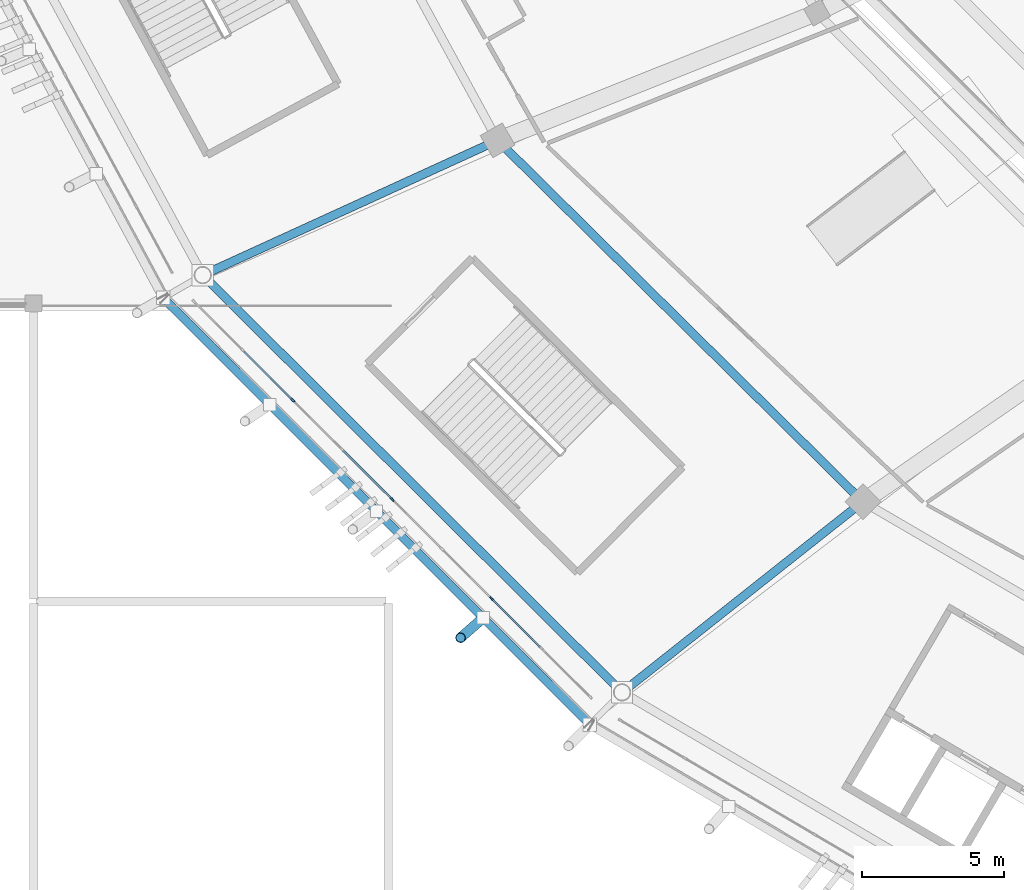
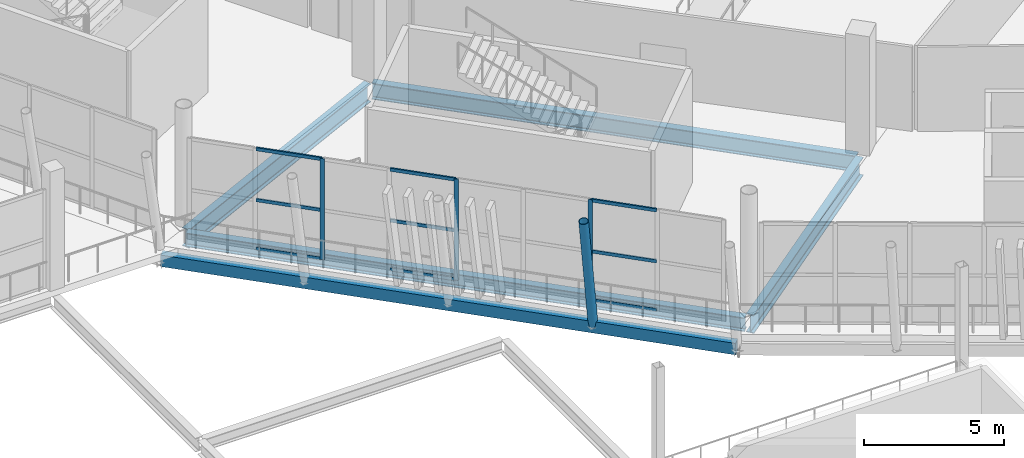
# One storey, part 30 of 178: 13 members, 5 beams, 1 element without a shape of its own.
"""IFC4 building model written with IfcOpenShell, lengths in metres."""

from ifc_helpers import new_model, si_unit, direction, frame, origin, origin_2d, place, context, subcontext, project, spatial, rectangle, hollow_rectangle, hollow_circle, i_section, extrude, material, material_profile, profile_set, type_object, element, aggregate, save


model = new_model("IFC4")

# Units and contexts
model_context = context("Model", 3, precision=1e-05, world=origin(), true_north=direction((0.0, 1.0)))
body_context = subcontext(model_context, "Body", "Model", "MODEL_VIEW")
ifc_project = project(units=[si_unit("LENGTHUNIT", "METRE"), si_unit("AREAUNIT", "SQUARE_METRE"), si_unit("VOLUMEUNIT", "CUBIC_METRE"), si_unit("PLANEANGLEUNIT", "RADIAN"), si_unit("MASSUNIT", "GRAM", prefix="KILO")], contexts=[model_context])

# Site, building, storey
site_placement = place(None, origin())
site = spatial("IfcSite", under=ifc_project, at=site_placement, CompositionType="ELEMENT")
building_placement = place(site_placement, origin())
building = spatial("IfcBuilding", under=site, at=building_placement, Name="Zlatoyarsky Gate Stadium", CompositionType="ELEMENT")
storey_placement = place(building_placement, frame((0.0, 0.0, 5.39990234375)))
storey = spatial("IfcBuildingStorey", under=building, at=storey_placement, Name="L01", CompositionType="ELEMENT", Elevation=5.39990234375)

# Curtain wall, members
ifc_material_1 = material(Name="Thermally broken anodised aluminium curtain wall", Category="aluminium")
curtain_wall_type = type_object("IfcCurtainWallType", Name="UNITISED HOSPITALITY GLAZING L01", PredefinedType="USERDEFINED", material=ifc_material_1)
curtain_wall_placement = place(storey_placement, origin())
curtain_wall = element("IfcCurtainWall", 1, at=curtain_wall_placement, inside=storey, type_object=curtain_wall_type, Name="Curtain wall CW-L01-14", ObjectType="UNITISED GLAZING", PredefinedType="USERDEFINED")
ifc_material_2 = material(Name="Anodised aluminium 6063-T6", Category="aluminium")
ifc_material_profile_1 = material_profile(ifc_material_2, rectangle(XDim=0.06494140625, YDim=0.159912109375, at=origin_2d()), Name="ALU 65X160")
ifc_profile_set_1 = profile_set([ifc_material_profile_1], Name="Anodised aluminium 6063-T6")
member_type_1 = type_object("IfcMemberType", Name="ALUMINIUM MULLION 65X160", PredefinedType="MULLION", material=ifc_profile_set_1)
member_1_placement = place(storey_placement, frame((33.6337890625, 40.093017578125, 0.0), z_axis=(0.0, 0.0, 1.0), x_axis=(0.706373470498, 0.707839332176, 0.0)))
member_1 = element("IfcMember", 2, at=member_1_placement, type_object=member_type_1, Name="CW-UG1 mullion 3", PredefinedType="MULLION", context=body_context, shape_type="SweptSolid", body=[
    extrude(rectangle(XDim=0.06494140625, YDim=0.159912109375, at=origin_2d()), origin(), (0.0, 0.0, 1.0), 4.400146484375),
])
member_2_placement = place(storey_placement, frame((37.134765625, 36.599365234375, 0.0), z_axis=(0.0, 0.0, 1.0), x_axis=(0.706373470498, 0.707839332176, 0.0)))
member_2 = element("IfcMember", 3, at=member_2_placement, type_object=member_type_1, Name="CW-UG1 mullion 5", PredefinedType="MULLION", context=body_context, shape_type="SweptSolid", body=[
    extrude(rectangle(XDim=0.06494140625, YDim=0.159912109375, at=origin_2d()), origin(), (0.0, 0.0, 1.0), 4.400146484375),
])
member_3_placement = place(storey_placement, frame((40.6357421875, 33.105712890625, 0.0), z_axis=(0.0, 0.0, 1.0), x_axis=(0.706373470498, 0.707839332176, 0.0)))
member_3 = element("IfcMember", 4, at=member_3_placement, type_object=member_type_1, Name="CW-UG1 mullion 7", PredefinedType="MULLION", context=body_context, shape_type="SweptSolid", body=[
    extrude(rectangle(XDim=0.06494140625, YDim=0.159912109375, at=origin_2d()), origin(), (0.0, 0.0, 1.0), 4.400146484375),
])
ifc_material_profile_2 = material_profile(ifc_material_2, rectangle(XDim=0.06494140625, YDim=0.139892578125, at=origin_2d()), Name="ALU 65X140")
ifc_profile_set_2 = profile_set([ifc_material_profile_2], Name="Anodised aluminium 6063-T6")
member_type_2 = type_object("IfcMemberType", Name="ALUMINIUM TRANSOM 65X140", PredefinedType="USERDEFINED", material=ifc_profile_set_2)
member_4_placement = place(storey_placement, frame((31.906494140625, 41.81689453125, 0.03271484375), z_axis=(0.707816167604, -0.70639668238, 0.0), x_axis=(0.70639668238, 0.707816167604, 0.0)))
member_4 = element("IfcMember", 5, at=member_4_placement, type_object=member_type_2, Name="CW-UG1 transom 2.1", ObjectType="TRANSOM", PredefinedType="USERDEFINED", context=body_context, shape_type="SweptSolid", body=[
    extrude(rectangle(XDim=0.06494140625, YDim=0.139892578125, at=origin_2d()), origin(), (0.0, 0.0, 1.0), 2.407958984375),
])
member_5_placement = place(storey_placement, frame((31.906494140625, 41.81689453125, 2.150146484375), z_axis=(0.707816167604, -0.70639668238, 0.0), x_axis=(0.70639668238, 0.707816167604, 0.0)))
member_5 = element("IfcMember", 6, at=member_5_placement, type_object=member_type_2, Name="CW-UG1 transom 2.2", ObjectType="TRANSOM", PredefinedType="USERDEFINED", context=body_context, shape_type="SweptSolid", body=[
    extrude(rectangle(XDim=0.06494140625, YDim=0.139892578125, at=origin_2d()), origin(), (0.0, 0.0, 1.0), 2.407958984375),
])
member_6_placement = place(storey_placement, frame((31.906494140625, 41.81689453125, 4.36767578125), z_axis=(0.707816167604, -0.70639668238, 0.0), x_axis=(0.70639668238, 0.707816167604, 0.0)))
member_6 = element("IfcMember", 7, at=member_6_placement, type_object=member_type_2, Name="CW-UG1 transom 2.3", ObjectType="TRANSOM", PredefinedType="USERDEFINED", context=body_context, shape_type="SweptSolid", body=[
    extrude(rectangle(XDim=0.06494140625, YDim=0.139892578125, at=origin_2d()), origin(), (0.0, 0.0, 1.0), 2.407958984375),
])
member_7_placement = place(storey_placement, frame((35.407470703125, 38.3232421875, 0.03271484375), z_axis=(0.707816167604, -0.70639668238, 0.0), x_axis=(0.70639668238, 0.707816167604, 0.0)))
member_7 = element("IfcMember", 8, at=member_7_placement, type_object=member_type_2, Name="CW-UG1 transom 4.1", ObjectType="TRANSOM", PredefinedType="USERDEFINED", context=body_context, shape_type="SweptSolid", body=[
    extrude(rectangle(XDim=0.06494140625, YDim=0.139892578125, at=origin_2d()), origin(), (0.0, 0.0, 1.0), 2.407958984375),
])
member_8_placement = place(storey_placement, frame((35.407470703125, 38.3232421875, 2.150146484375), z_axis=(0.707816167604, -0.70639668238, 0.0), x_axis=(0.70639668238, 0.707816167604, 0.0)))
member_8 = element("IfcMember", 9, at=member_8_placement, type_object=member_type_2, Name="CW-UG1 transom 4.2", ObjectType="TRANSOM", PredefinedType="USERDEFINED", context=body_context, shape_type="SweptSolid", body=[
    extrude(rectangle(XDim=0.06494140625, YDim=0.139892578125, at=origin_2d()), origin(), (0.0, 0.0, 1.0), 2.407958984375),
])
member_9_placement = place(storey_placement, frame((35.407470703125, 38.3232421875, 4.36767578125), z_axis=(0.707816167604, -0.70639668238, 0.0), x_axis=(0.70639668238, 0.707816167604, 0.0)))
member_9 = element("IfcMember", 10, at=member_9_placement, type_object=member_type_2, Name="CW-UG1 transom 4.3", ObjectType="TRANSOM", PredefinedType="USERDEFINED", context=body_context, shape_type="SweptSolid", body=[
    extrude(rectangle(XDim=0.06494140625, YDim=0.139892578125, at=origin_2d()), origin(), (0.0, 0.0, 1.0), 2.407958984375),
])
member_10_placement = place(storey_placement, frame((40.65869140625, 33.082763671875, 0.03271484375), z_axis=(0.707816167604, -0.70639668238, 0.0), x_axis=(0.70639668238, 0.707816167604, 0.0)))
member_10 = element("IfcMember", 11, at=member_10_placement, type_object=member_type_2, Name="CW-UG1 transom 7.1", ObjectType="TRANSOM", PredefinedType="USERDEFINED", context=body_context, shape_type="SweptSolid", body=[
    extrude(rectangle(XDim=0.06494140625, YDim=0.139892578125, at=origin_2d()), origin(), (0.0, 0.0, 1.0), 2.407958984375),
])
member_11_placement = place(storey_placement, frame((40.65869140625, 33.082763671875, 2.150146484375), z_axis=(0.707816167604, -0.70639668238, 0.0), x_axis=(0.70639668238, 0.707816167604, 0.0)))
member_11 = element("IfcMember", 12, at=member_11_placement, type_object=member_type_2, Name="CW-UG1 transom 7.2", ObjectType="TRANSOM", PredefinedType="USERDEFINED", context=body_context, shape_type="SweptSolid", body=[
    extrude(rectangle(XDim=0.06494140625, YDim=0.139892578125, at=origin_2d()), origin(), (0.0, 0.0, 1.0), 2.407958984375),
])
member_12_placement = place(storey_placement, frame((40.65869140625, 33.082763671875, 4.36767578125), z_axis=(0.707816167604, -0.70639668238, 0.0), x_axis=(0.70639668238, 0.707816167604, 0.0)))
member_12 = element("IfcMember", 13, at=member_12_placement, type_object=member_type_2, Name="CW-UG1 transom 7.3", ObjectType="TRANSOM", PredefinedType="USERDEFINED", context=body_context, shape_type="SweptSolid", body=[
    extrude(rectangle(XDim=0.06494140625, YDim=0.139892578125, at=origin_2d()), origin(), (0.0, 0.0, 1.0), 2.407958984375),
])
aggregate(curtain_wall, [member_1, member_2, member_3, member_4, member_5, member_6, member_7, member_8, member_9, member_10, member_11, member_12])

# Member
ifc_material_3 = material(Name="Steel S355", Category="steel")
ifc_material_profile_3 = material_profile(ifc_material_3, hollow_circle(Radius=0.177734375, WallThickness=0.02001953125, at=origin_2d()), Name="CHS 355.6X20")
ifc_profile_set_3 = profile_set([ifc_material_profile_3], Name="Steel S355")
member_type_3 = type_object("IfcMemberType", Name="STEEL LEANING RIB RING STRUT CHS 355.6X20", PredefinedType="STRUT", material=ifc_profile_set_3)
member_13_placement = place(storey_placement, frame((40.343017578125, 32.41748046875, -0.5498046875), z_axis=(-0.149693382976, -0.131314005581, 0.979973735889), x_axis=(0.659449228853, -0.751749103468, 0.0)))
element("IfcMember", 14, at=member_13_placement, inside=storey, type_object=member_type_3, Name="Outward-leaning bowl louvre fin rib L01 14-3", PredefinedType="STRUT", context=body_context, shape_type="SweptSolid", body=[
    extrude(hollow_circle(Radius=0.177734375, WallThickness=0.02001953125, at=origin_2d()), origin(), (0.0, 0.0, 1.0), 5.32666015625),
])

# Beams
ifc_material_profile_4 = material_profile(ifc_material_3, hollow_rectangle(XDim=0.300048828125, YDim=0.5, WallThickness=0.02001953125, at=origin_2d()), Name="RHS 500X300X20")
ifc_profile_set_4 = profile_set([ifc_material_profile_4], Name="Steel S355")
beam_type_1 = type_object("IfcBeamType", Name="STEEL LOUVRE CARRIER SPANDREL RHS 500X300X20", PredefinedType="SPANDREL", material=ifc_profile_set_4)
beam_1_placement = place(storey_placement, frame((29.080810546875, 43.681640625, -0.5498046875), z_axis=(0.707043513905, -0.707170042808, 0.0), x_axis=(0.707170042808, 0.707043513905, 0.0)))
element("IfcBeam", 15, at=beam_1_placement, inside=storey, type_object=beam_type_1, Name="Beam SP-RHS500 BM-L01-SPD-14", PredefinedType="SPANDREL", context=body_context, shape_type="SweptSolid", body=[
    extrude(hollow_rectangle(XDim=0.300048828125, YDim=0.5, WallThickness=0.02001953125, at=origin_2d()), origin(), (0.0, 0.0, 1.0), 21.224853515625),
])
ifc_material_profile_5 = material_profile(ifc_material_3, i_section(OverallWidth=0.300048828125, OverallDepth=0.60009765625, WebThickness=0.015380859375, FlangeThickness=0.030029296875, FilletRadius=0.027099609375, at=origin_2d()), Name="HEB 600")
ifc_profile_set_5 = profile_set([ifc_material_profile_5], Name="Steel S355")
beam_type_2 = type_object("IfcBeamType", Name="STEEL PRIMARY GIRDER HEB 600", PredefinedType="BEAM", material=ifc_profile_set_5)
beam_2_placement = place(storey_placement, frame((30.544677734375, 44.415283203125, -0.599853515625), z_axis=(0.708899260134, -0.705309746835, 0.0), x_axis=(0.705309746835, 0.708899260134, 0.0)))
element("IfcBeam", 16, at=beam_2_placement, inside=storey, type_object=beam_type_2, Name="Beam G-HEB600 BM-L01-CRC-14", PredefinedType="BEAM", context=body_context, shape_type="SweptSolid", body=[
    extrude(i_section(OverallWidth=0.300048828125, OverallDepth=0.60009765625, WebThickness=0.015380859375, FlangeThickness=0.030029296875, FilletRadius=0.027099609375, at=origin_2d()), origin(), (0.0, 0.0, 1.0), 20.608642578125),
])
ifc_material_profile_6 = material_profile(ifc_material_3, i_section(OverallWidth=0.300048828125, OverallDepth=0.699951171875, WebThickness=0.01708984375, FlangeThickness=0.031982421875, FilletRadius=0.027099609375, at=origin_2d()), Name="HEB 700")
ifc_profile_set_6 = profile_set([ifc_material_profile_6], Name="Steel S355")
beam_type_3 = type_object("IfcBeamType", Name="STEEL PRIMARY GIRDER HEB 700", PredefinedType="BEAM", material=ifc_profile_set_6)
beam_3_placement = place(storey_placement, frame((40.937255859375, 49.16552734375, -0.64990234375), z_axis=(0.710840510009, -0.703353232259, 0.0), x_axis=(0.703353232259, 0.710840510009, 0.0)))
element("IfcBeam", 17, at=beam_3_placement, inside=storey, type_object=beam_type_3, Name="Beam G-HEB700 BM-L01-CRB-14", PredefinedType="BEAM", context=body_context, shape_type="SweptSolid", body=[
    extrude(i_section(OverallWidth=0.300048828125, OverallDepth=0.699951171875, WebThickness=0.01708984375, FlangeThickness=0.031982421875, FilletRadius=0.027099609375, at=origin_2d()), origin(), (0.0, 0.0, 1.0), 17.868896484375),
])
ifc_material_profile_7 = material_profile(ifc_material_3, i_section(OverallWidth=0.300048828125, OverallDepth=0.800048828125, WebThickness=0.017578125, FlangeThickness=0.032958984375, FilletRadius=0.030029296875, at=origin_2d()), Name="HEB 800")
ifc_profile_set_7 = profile_set([ifc_material_profile_7], Name="Steel S355")
beam_type_4 = type_object("IfcBeamType", Name="STEEL PRIMARY GIRDER HEB 800", PredefinedType="BEAM", material=ifc_profile_set_7)
beam_4_placement = place(storey_placement, frame((40.742919921875, 49.2001953125, -0.699951171875), z_axis=(-0.909498994842, -0.415706120213, 0.0), x_axis=(0.415706120213, -0.909498994842, 0.0)))
element("IfcBeam", 18, at=beam_4_placement, inside=storey, type_object=beam_type_4, Name="Beam G-HEB800 BM-L01-RBC-14", PredefinedType="BEAM", context=body_context, shape_type="SweptSolid", body=[
    extrude(i_section(OverallWidth=0.300048828125, OverallDepth=0.800048828125, WebThickness=0.017578125, FlangeThickness=0.032958984375, FilletRadius=0.030029296875, at=origin_2d()), origin(), (0.0, 0.0, 1.0), 11.186767578125),
])
beam_5_placement = place(storey_placement, frame((53.63037109375, 36.4384765625, -0.699951171875), z_axis=(-0.78404348542, -0.620705898933, 0.0), x_axis=(0.620705898933, -0.78404348542, 0.0)))
element("IfcBeam", 19, at=beam_5_placement, inside=storey, type_object=beam_type_4, Name="Beam G-HEB800 BM-L01-RBC-15", PredefinedType="BEAM", context=body_context, shape_type="SweptSolid", body=[
    extrude(i_section(OverallWidth=0.300048828125, OverallDepth=0.800048828125, WebThickness=0.017578125, FlangeThickness=0.032958984375, FilletRadius=0.030029296875, at=origin_2d()), origin(), (0.0, 0.0, 1.0), 10.58251953125),
])

save(model, "model.ifc")
